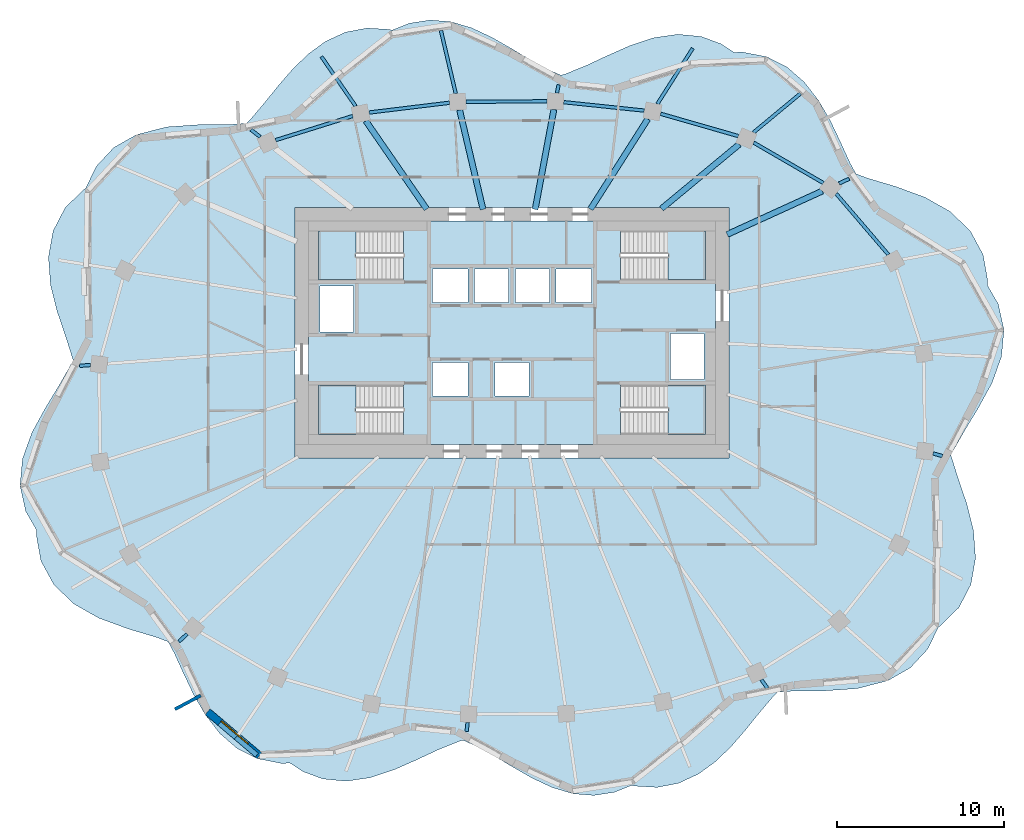
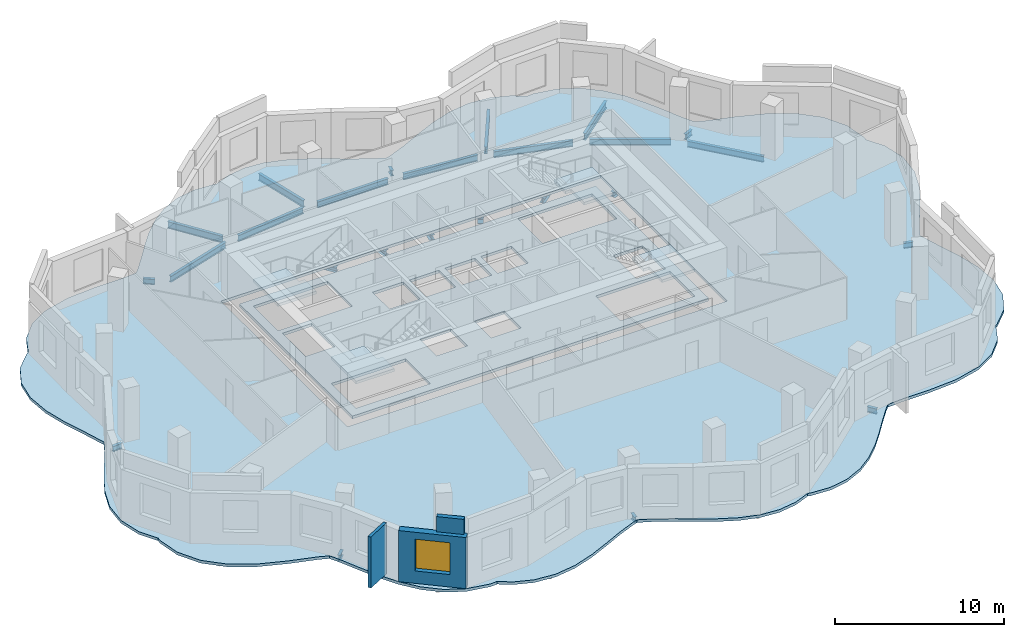
# One storey, part 2 of 9: 25 beams, 6 slabs, 3 walls, 1 window, 1 opening, 4 elements without a shape of their own.
"""IFC4 building model written with IfcOpenShell, lengths in metres."""

from ifc_helpers import new_model, si_unit, direction, frame, frame_2d, origin, origin_2d, place, context, subcontext, project, spatial, polyline, rectangle, i_section, outline, extrude, material, layer, layer_set, material_profile, profile_set, type_object, element, fill, aggregate, save


model = new_model("IFC4")

# Units and contexts
model_context = context("Model", 3, precision=1e-05, world=origin(), true_north=direction((0.0, 1.0)))
body_context = subcontext(model_context, "Body", "Model", "MODEL_VIEW")
ifc_project = project(units=[si_unit("LENGTHUNIT", "METRE"), si_unit("AREAUNIT", "SQUARE_METRE"), si_unit("VOLUMEUNIT", "CUBIC_METRE"), si_unit("PLANEANGLEUNIT", "RADIAN"), si_unit("MASSUNIT", "GRAM", prefix="KILO")], contexts=[model_context])

# Site, building, storey
site_placement = place(None, origin())
site = spatial("IfcSite", under=ifc_project, at=site_placement, CompositionType="ELEMENT")
building_placement = place(site_placement, origin())
building = spatial("IfcBuilding", under=site, at=building_placement, Name="Rubra Terraces Tower", CompositionType="ELEMENT")
storey_placement = place(building_placement, frame((0.0, 0.0, 244.800048828125)))
storey = spatial("IfcBuildingStorey", under=building, at=storey_placement, Name="L60", CompositionType="ELEMENT", Elevation=244.800048828125)

# Beams
ifc_material_1 = material(Name="Steel Q355B", Category="steel")
ifc_material_profile_1 = material_profile(ifc_material_1, i_section(OverallWidth=0.198974609375, OverallDepth=0.49609375, WebThickness=0.009033203125, FlangeThickness=0.013916015625, at=origin_2d()), Name="HN 496x199x9x14")
ifc_profile_set_1 = profile_set([ifc_material_profile_1], Name="Steel Q355B")
beam_type_1 = type_object("IfcBeamType", Name="CANTILEVER BEAM HN 496x199x9x14", PredefinedType="BEAM", material=ifc_profile_set_1)
beam_1_placement = place(storey_placement, frame((14.47509765625, 16.4951171875, -0.447998046875), z_axis=(0.76992389312, 0.638135721303, 0.0), x_axis=(-0.638135721303, 0.76992389312, 0.0)))
element("IfcBeam", 1, at=beam_1_placement, inside=storey, type_object=beam_type_1, Name="beam-L60-cant-04", PredefinedType="BEAM", context=body_context, shape_type="SweptSolid", body=[
    extrude(i_section(OverallWidth=0.198974609375, OverallDepth=0.49609375, WebThickness=0.009033203125, FlangeThickness=0.013916015625, at=origin_2d()), origin(), (0.0, 0.0, 1.0), 3.6494140625),
])
beam_2_placement = place(storey_placement, frame((8.7099609375, 18.201904296875, -0.447998046875), z_axis=(0.536427545347, 0.843946377795, 0.0), x_axis=(-0.843946377795, 0.536427545347, 0.0)))
element("IfcBeam", 2, at=beam_2_placement, inside=storey, type_object=beam_type_1, Name="beam-L60-cant-05", PredefinedType="BEAM", context=body_context, shape_type="SweptSolid", body=[
    extrude(i_section(OverallWidth=0.198974609375, OverallDepth=0.49609375, WebThickness=0.009033203125, FlangeThickness=0.013916015625, at=origin_2d()), origin(), (0.0, 0.0, 1.0), 3.950439453125),
])
beam_3_placement = place(storey_placement, frame((-3.3701171875, 18.823974609375, -0.447998046875), z_axis=(-0.228972734486, 0.973432836338, 0.0), x_axis=(-0.973432836338, -0.228972734486, 0.0)))
element("IfcBeam", 3, at=beam_3_placement, inside=storey, type_object=beam_type_1, Name="beam-L60-cant-07", PredefinedType="BEAM", context=body_context, shape_type="SweptSolid", body=[
    extrude(i_section(OverallWidth=0.198974609375, OverallDepth=0.49609375, WebThickness=0.009033203125, FlangeThickness=0.013916015625, at=origin_2d()), origin(), (0.0, 0.0, 1.0), 3.882080078125),
])
beam_4_placement = place(storey_placement, frame((-9.3701171875, 18.070068359375, -0.447998046875), z_axis=(-0.56822135663, 0.822875743882, 0.0), x_axis=(-0.822875743882, -0.56822135663, 0.0)))
element("IfcBeam", 4, at=beam_4_placement, inside=storey, type_object=beam_type_1, Name="beam-L60-cant-08", PredefinedType="BEAM", context=body_context, shape_type="SweptSolid", body=[
    extrude(i_section(OverallWidth=0.198974609375, OverallDepth=0.49609375, WebThickness=0.009033203125, FlangeThickness=0.013916015625, at=origin_2d()), origin(), (0.0, 0.0, 1.0), 3.59716796875),
])
ifc_material_profile_2 = material_profile(ifc_material_1, i_section(OverallWidth=0.199951171875, OverallDepth=0.39990234375, WebThickness=0.008056640625, FlangeThickness=0.012939453125, at=origin_2d()), Name="HN 400x200x8x13")
ifc_profile_set_2 = profile_set([ifc_material_profile_2], Name="Steel Q355B")
beam_type_2 = type_object("IfcBeamType", Name="CANTILEVER STUB HN 400x200x8x13", PredefinedType="BEAM", material=ifc_profile_set_2)
beam_5_placement = place(storey_placement, frame((19.596923828125, 13.43896484375, -0.400146484375), z_axis=(0.909470504051, 0.415768447891, 0.0), x_axis=(-0.415768447891, 0.909470504051, 0.0)))
element("IfcBeam", 5, at=beam_5_placement, inside=storey, type_object=beam_type_2, Name="beam-L60-cant-03", PredefinedType="BEAM", context=body_context, shape_type="SweptSolid", body=[
    extrude(i_section(OverallWidth=0.199951171875, OverallDepth=0.39990234375, WebThickness=0.008056640625, FlangeThickness=0.012939453125, at=origin_2d()), origin(), (0.0, 0.0, 1.0), 0.6640625),
])
beam_6_placement = place(storey_placement, frame((2.695068359375, 18.85400390625, -0.400146484375), z_axis=(0.185434461411, 0.98265663409, 0.0), x_axis=(-0.98265663409, 0.185434461411, 0.0)))
element("IfcBeam", 6, at=beam_6_placement, inside=storey, type_object=beam_type_2, Name="beam-L60-cant-06", PredefinedType="BEAM", context=body_context, shape_type="SweptSolid", body=[
    extrude(i_section(OverallWidth=0.199951171875, OverallDepth=0.39990234375, WebThickness=0.008056640625, FlangeThickness=0.012939453125, at=origin_2d()), origin(), (0.0, 0.0, 1.0), 0.501708984375),
])
beam_7_placement = place(storey_placement, frame((-15.087890625, 16.22705078125, -0.400146484375), z_axis=(-0.78939001545, 0.613892012904, 0.0), x_axis=(-0.613892012904, -0.78939001545, 0.0)))
element("IfcBeam", 7, at=beam_7_placement, inside=storey, type_object=beam_type_2, Name="beam-L60-cant-09", PredefinedType="BEAM", context=body_context, shape_type="SweptSolid", body=[
    extrude(i_section(OverallWidth=0.199951171875, OverallDepth=0.39990234375, WebThickness=0.008056640625, FlangeThickness=0.012939453125, at=origin_2d()), origin(), (0.0, 0.0, 1.0), 0.695556640625),
])
beam_8_placement = place(storey_placement, frame((-25.251953125, 2.56005859375, -0.400146484375), z_axis=(-0.997039019629, -0.076897290829, 0.0), x_axis=(0.076897290829, -0.997039019629, 0.0)))
element("IfcBeam", 8, at=beam_8_placement, inside=storey, type_object=beam_type_2, Name="beam-L60-cant-12", PredefinedType="BEAM", context=body_context, shape_type="SweptSolid", body=[
    extrude(i_section(OverallWidth=0.199951171875, OverallDepth=0.39990234375, WebThickness=0.008056640625, FlangeThickness=0.012939453125, at=origin_2d()), origin(), (0.0, 0.0, 1.0), 0.65087890625),
])
beam_9_placement = place(storey_placement, frame((-19.4619140625, -13.552001953125, -0.400146484375), z_axis=(-0.733015476534, -0.680211960466, 0.0), x_axis=(0.680211960466, -0.733015476534, 0.0)))
element("IfcBeam", 9, at=beam_9_placement, inside=storey, type_object=beam_type_2, Name="beam-L60-cant-15", PredefinedType="BEAM", context=body_context, shape_type="SweptSolid", body=[
    extrude(i_section(OverallWidth=0.199951171875, OverallDepth=0.39990234375, WebThickness=0.008056640625, FlangeThickness=0.012939453125, at=origin_2d()), origin(), (0.0, 0.0, 1.0), 0.665771484375),
])
beam_10_placement = place(storey_placement, frame((-2.658935546875, -18.85595703125, -0.400146484375), z_axis=(-0.113572215797, -0.993529743792, 0.0), x_axis=(0.993529743792, -0.113572215797, 0.0)))
element("IfcBeam", 10, at=beam_10_placement, inside=storey, type_object=beam_type_2, Name="beam-L60-cant-18", PredefinedType="BEAM", context=body_context, shape_type="SweptSolid", body=[
    extrude(i_section(OverallWidth=0.199951171875, OverallDepth=0.39990234375, WebThickness=0.008056640625, FlangeThickness=0.012939453125, at=origin_2d()), origin(), (0.0, 0.0, 1.0), 0.537353515625),
])
beam_11_placement = place(storey_placement, frame((14.93994140625, -16.294921875, -0.400146484375), z_axis=(0.583740356703, -0.81194038941, 0.0), x_axis=(0.81194038941, 0.583740356703, 0.0)))
element("IfcBeam", 11, at=beam_11_placement, inside=storey, type_object=beam_type_2, Name="beam-L60-cant-21", PredefinedType="BEAM", context=body_context, shape_type="SweptSolid", body=[
    extrude(i_section(OverallWidth=0.199951171875, OverallDepth=0.39990234375, WebThickness=0.008056640625, FlangeThickness=0.012939453125, at=origin_2d()), origin(), (0.0, 0.0, 1.0), 0.626953125),
])
beam_12_placement = place(storey_placement, frame((25.22900390625, -2.738037109375, -0.400146484375), z_axis=(0.961157373545, -0.276000911737, 0.0), x_axis=(0.276000911737, 0.961157373545, 0.0)))
element("IfcBeam", 12, at=beam_12_placement, inside=storey, type_object=beam_type_2, Name="beam-L60-cant-24", PredefinedType="BEAM", context=body_context, shape_type="SweptSolid", body=[
    extrude(i_section(OverallWidth=0.199951171875, OverallDepth=0.39990234375, WebThickness=0.008056640625, FlangeThickness=0.012939453125, at=origin_2d()), origin(), (0.0, 0.0, 1.0), 0.579345703125),
])
ifc_material_profile_3 = material_profile(ifc_material_1, i_section(OverallWidth=0.35009765625, OverallDepth=0.35009765625, WebThickness=0.011962890625, FlangeThickness=0.01904296875, at=origin_2d()), Name="HW 350x350x12x19")
ifc_profile_set_3 = profile_set([ifc_material_profile_3], Name="Steel Q355B")
beam_type_3 = type_object("IfcBeamType", Name="FLOOR BEAM HW 350x350x12x19", PredefinedType="BEAM", material=ifc_profile_set_3)
beam_13_placement = place(storey_placement, frame((18.5869140625, 12.97900390625, -0.375), z_axis=(-0.909756526533, -0.415142219523, 0.0), x_axis=(0.415142219523, -0.909756526533, 0.0)))
element("IfcBeam", 13, at=beam_13_placement, inside=storey, type_object=beam_type_3, Name="beam-L60-floor-03", PredefinedType="BEAM", context=body_context, shape_type="SweptSolid", body=[
    extrude(i_section(OverallWidth=0.35009765625, OverallDepth=0.35009765625, WebThickness=0.011962890625, FlangeThickness=0.01904296875, at=origin_2d()), origin(), (0.0, 0.0, 1.0), 6.2607421875),
])
beam_14_placement = place(storey_placement, frame((13.60888671875, 15.777099609375, -0.375), z_axis=(-0.769987518392, -0.638058948312, 0.0), x_axis=(0.638058948312, -0.769987518392, 0.0)))
element("IfcBeam", 14, at=beam_14_placement, inside=storey, type_object=beam_type_3, Name="beam-L60-floor-04", PredefinedType="BEAM", context=body_context, shape_type="SweptSolid", body=[
    extrude(i_section(OverallWidth=0.35009765625, OverallDepth=0.35009765625, WebThickness=0.011962890625, FlangeThickness=0.01904296875, at=origin_2d()), origin(), (0.0, 0.0, 1.0), 6.040283203125),
])
beam_15_placement = place(storey_placement, frame((8.134033203125, 17.2958984375, -0.375), z_axis=(-0.536509861106, -0.843894050776, 0.0), x_axis=(0.843894050776, -0.536509861106, 0.0)))
element("IfcBeam", 15, at=beam_15_placement, inside=storey, type_object=beam_type_3, Name="beam-L60-floor-05", PredefinedType="BEAM", context=body_context, shape_type="SweptSolid", body=[
    extrude(i_section(OverallWidth=0.35009765625, OverallDepth=0.35009765625, WebThickness=0.011962890625, FlangeThickness=0.01904296875, at=origin_2d()), origin(), (0.0, 0.0, 1.0), 6.395263671875),
])
beam_16_placement = place(storey_placement, frame((2.509033203125, 17.862060546875, -0.375), z_axis=(-0.184574398021, -0.982818544593, 0.0), x_axis=(0.982818544593, -0.184574398021, 0.0)))
element("IfcBeam", 16, at=beam_16_placement, inside=storey, type_object=beam_type_3, Name="beam-L60-floor-06", PredefinedType="BEAM", context=body_context, shape_type="SweptSolid", body=[
    extrude(i_section(OverallWidth=0.35009765625, OverallDepth=0.35009765625, WebThickness=0.011962890625, FlangeThickness=0.01904296875, at=origin_2d()), origin(), (0.0, 0.0, 1.0), 6.08447265625),
])
beam_17_placement = place(storey_placement, frame((-3.137939453125, 17.8359375, -0.375), z_axis=(0.229070485592, -0.973409837957, 0.0), x_axis=(0.973409837957, 0.229070485592, 0.0)))
element("IfcBeam", 17, at=beam_17_placement, inside=storey, type_object=beam_type_3, Name="beam-L60-floor-07", PredefinedType="BEAM", context=body_context, shape_type="SweptSolid", body=[
    extrude(i_section(OverallWidth=0.35009765625, OverallDepth=0.35009765625, WebThickness=0.011962890625, FlangeThickness=0.01904296875, at=origin_2d()), origin(), (0.0, 0.0, 1.0), 6.115478515625),
])
beam_18_placement = place(storey_placement, frame((-8.756103515625, 17.179931640625, -0.375), z_axis=(0.568186422001, -0.822899866238, 0.0), x_axis=(0.822899866238, 0.568186422001, 0.0)))
element("IfcBeam", 18, at=beam_18_placement, inside=storey, type_object=beam_type_3, Name="beam-L60-floor-08", PredefinedType="BEAM", context=body_context, shape_type="SweptSolid", body=[
    extrude(i_section(OverallWidth=0.35009765625, OverallDepth=0.35009765625, WebThickness=0.011962890625, FlangeThickness=0.01904296875, at=origin_2d()), origin(), (0.0, 0.0, 1.0), 6.415283203125),
])
ifc_material_profile_4 = material_profile(ifc_material_1, i_section(OverallWidth=0.198974609375, OverallDepth=0.446044921875, WebThickness=0.008056640625, FlangeThickness=0.011962890625, at=origin_2d()), Name="HN 446x199x8x12")
ifc_profile_set_4 = profile_set([ifc_material_profile_4], Name="Steel Q355B")
beam_type_4 = type_object("IfcBeamType", Name="SPANDREL BEAM HN 446x199x8x12", PredefinedType="SPANDREL", material=ifc_profile_set_4)
beam_19_placement = place(storey_placement, frame((22.547119140625, 9.174072265625, -0.423095703125), z_axis=(-0.650372836218, 0.759615148552, 0.0), x_axis=(-0.759615148552, -0.650372836218, 0.0)))
element("IfcBeam", 19, at=beam_19_placement, inside=storey, type_object=beam_type_4, Name="beam-L60-spandrel-02", PredefinedType="SPANDREL", context=body_context, shape_type="SweptSolid", body=[
    extrude(i_section(OverallWidth=0.198974609375, OverallDepth=0.446044921875, WebThickness=0.008056640625, FlangeThickness=0.011962890625, at=origin_2d()), origin(), (0.0, 0.0, 1.0), 4.804931640625),
])
beam_20_placement = place(storey_placement, frame((18.653076171875, 13.462890625, -0.423095703125), z_axis=(-0.865153680787, 0.501506838059, 0.0), x_axis=(-0.501506838059, -0.865153680787, 0.0)))
element("IfcBeam", 20, at=beam_20_placement, inside=storey, type_object=beam_type_4, Name="beam-L60-spandrel-03", PredefinedType="SPANDREL", context=body_context, shape_type="SweptSolid", body=[
    extrude(i_section(OverallWidth=0.198974609375, OverallDepth=0.446044921875, WebThickness=0.008056640625, FlangeThickness=0.011962890625, at=origin_2d()), origin(), (0.0, 0.0, 1.0), 4.82568359375),
])
beam_21_placement = place(storey_placement, frame((13.55810546875, 16.27490234375, -0.423095703125), z_axis=(-0.961171164323, 0.275952881621, 0.0), x_axis=(-0.275952881621, -0.961171164323, 0.0)))
element("IfcBeam", 21, at=beam_21_placement, inside=storey, type_object=beam_type_4, Name="beam-L60-spandrel-04", PredefinedType="SPANDREL", context=body_context, shape_type="SweptSolid", body=[
    extrude(i_section(OverallWidth=0.198974609375, OverallDepth=0.446044921875, WebThickness=0.008056640625, FlangeThickness=0.011962890625, at=origin_2d()), origin(), (0.0, 0.0, 1.0), 4.842041015625),
])
beam_22_placement = place(storey_placement, frame((7.923095703125, 17.801025390625, -0.423095703125), z_axis=(-0.994565426955, 0.104113454971, 0.0), x_axis=(-0.104113454971, -0.994565426955, 0.0)))
element("IfcBeam", 22, at=beam_22_placement, inside=storey, type_object=beam_type_4, Name="beam-L60-spandrel-05", PredefinedType="SPANDREL", context=body_context, shape_type="SweptSolid", body=[
    extrude(i_section(OverallWidth=0.198974609375, OverallDepth=0.446044921875, WebThickness=0.008056640625, FlangeThickness=0.011962890625, at=origin_2d()), origin(), (0.0, 0.0, 1.0), 4.849365234375),
])
beam_23_placement = place(storey_placement, frame((2.10107421875, 18.35595703125, -0.423095703125), z_axis=(-0.999987852299, -0.004929021704, 0.0), x_axis=(0.004929021704, -0.999987852299, 0.0)))
element("IfcBeam", 23, at=beam_23_placement, inside=storey, type_object=beam_type_4, Name="beam-L60-spandrel-06", PredefinedType="SPANDREL", context=body_context, shape_type="SweptSolid", body=[
    extrude(i_section(OverallWidth=0.198974609375, OverallDepth=0.446044921875, WebThickness=0.008056640625, FlangeThickness=0.011962890625, at=origin_2d()), origin(), (0.0, 0.0, 1.0), 4.85400390625),
])
beam_24_placement = place(storey_placement, frame((-3.7509765625, 18.27001953125, -0.423095703125), z_axis=(-0.992698018573, -0.120626049929, 0.0), x_axis=(0.120626049929, -0.992698018573, 0.0)))
element("IfcBeam", 24, at=beam_24_placement, inside=storey, type_object=beam_type_4, Name="beam-L60-spandrel-07", PredefinedType="SPANDREL", context=body_context, shape_type="SweptSolid", body=[
    extrude(i_section(OverallWidth=0.198974609375, OverallDepth=0.446044921875, WebThickness=0.008056640625, FlangeThickness=0.011962890625, at=origin_2d()), origin(), (0.0, 0.0, 1.0), 4.849365234375),
])
beam_25_placement = place(storey_placement, frame((-9.5419921875, 17.47509765625, -0.423095703125), z_axis=(-0.954462027342, -0.298332429282, 0.0), x_axis=(0.298332429282, -0.954462027342, 0.0)))
element("IfcBeam", 25, at=beam_25_placement, inside=storey, type_object=beam_type_4, Name="beam-L60-spandrel-08", PredefinedType="SPANDREL", context=body_context, shape_type="SweptSolid", body=[
    extrude(i_section(OverallWidth=0.198974609375, OverallDepth=0.446044921875, WebThickness=0.008056640625, FlangeThickness=0.011962890625, at=origin_2d()), origin(), (0.0, 0.0, 1.0), 4.840576171875),
])

# Slab
ifc_material_2 = material(Name="Concrete C40", Category="concrete")
ifc_layer_1 = layer(ifc_material_2, 0.199951171875)
ifc_layer_set_1 = layer_set([ifc_layer_1], Name="Concrete C40")
slab_type_1 = type_object("IfcSlabType", Name="Core floor slab 200 concrete", PredefinedType="FLOOR", material=ifc_layer_set_1)
slab_1_placement = place(storey_placement, frame((0.0, 0.0, -0.199951171875)))
element("IfcSlab", 26, at=slab_1_placement, inside=storey, type_object=slab_type_1, Name="CORE FLOOR SLAB L60", PredefinedType="FLOOR", context=body_context, shape_type="SweptSolid", body=[
    extrude(outline(polyline([(-12.199951171875, -2.199951171875), (-12.199951171875, 11.199951171875), (12.199951171875, 11.199951171875), (12.199951171875, -2.199951171875), (-12.199951171875, -2.199951171875)]), holes=[polyline([(11.597900390625, 1.347900390625), (6.501953125, 1.347900390625), (6.501953125, -1.597900390625), (11.597900390625, -1.597900390625), (11.597900390625, 1.347900390625)]), polyline([(11.597900390625, 7.652099609375), (11.597900390625, 10.597900390625), (6.501953125, 10.597900390625), (6.501953125, 7.652099609375), (11.597900390625, 7.652099609375)]), polyline([(9.5, 1.699951171875), (11.5, 1.699951171875), (11.5, 4.449951171875), (9.5, 4.449951171875), (9.5, 1.699951171875)]), polyline([(4.75, 6.300048828125), (4.75, 8.300048828125), (2.64990234375, 8.300048828125), (2.64990234375, 6.300048828125), (4.75, 6.300048828125)]), polyline([(2.25, 8.300048828125), (0.199951171875, 8.300048828125), (0.199951171875, 6.300048828125), (2.25, 6.300048828125), (2.25, 8.300048828125)]), polyline([(1.02490234375, 0.699951171875), (1.02490234375, 2.699951171875), (-1.02490234375, 2.699951171875), (-1.02490234375, 0.699951171875), (1.02490234375, 0.699951171875)]), polyline([(-0.199951171875, 6.300048828125), (-0.199951171875, 8.300048828125), (-2.25, 8.300048828125), (-2.25, 6.300048828125), (-0.199951171875, 6.300048828125)]), polyline([(-4.75, 8.300048828125), (-4.75, 6.300048828125), (-2.64990234375, 6.300048828125), (-2.64990234375, 8.300048828125), (-4.75, 8.300048828125)]), polyline([(-2.64990234375, 0.699951171875), (-2.64990234375, 2.699951171875), (-4.75, 2.699951171875), (-4.75, 0.699951171875), (-2.64990234375, 0.699951171875)]), polyline([(-11.597900390625, -1.597900390625), (-6.501953125, -1.597900390625), (-6.501953125, 1.347900390625), (-11.597900390625, 1.347900390625), (-11.597900390625, -1.597900390625)]), polyline([(-11.597900390625, 10.597900390625), (-11.597900390625, 7.652099609375), (-6.501953125, 7.652099609375), (-6.501953125, 10.597900390625), (-11.597900390625, 10.597900390625)]), polyline([(-9.5, 4.550048828125), (-9.5, 7.300048828125), (-11.5, 7.300048828125), (-11.5, 4.550048828125), (-9.5, 4.550048828125)])]), origin(), (0.0, 0.0, 1.0), 0.199951171875),
])

# Stair, slab
stair_type = type_object("IfcStairType", Name="Core stair 1400", PredefinedType="HALF_TURN_STAIR", material=ifc_material_2)
stair_1_placement = place(storey_placement, origin())
stair_1 = element("IfcStair", 27, at=stair_1_placement, inside=storey, type_object=stair_type, Name="L60 Exit stair S1", PredefinedType="HALF_TURN_STAIR")
ifc_layer_2 = layer(ifc_material_2, 0.199951171875)
ifc_layer_set_2 = layer_set([ifc_layer_2], Name="Concrete C40")
slab_type_2 = type_object("IfcSlabType", Name="Core stair landing 200", PredefinedType="LANDING", material=ifc_layer_set_2)
slab_2_placement = place(storey_placement, frame((0.0, 0.0, 1.75)))
slab_2 = element("IfcSlab", 28, at=slab_2_placement, type_object=slab_type_2, Name="S1 landing 1", PredefinedType="LANDING", context=body_context, shape_type="SweptSolid", body=[
    extrude(outline(polyline([(-8.97998046875, -0.199951171875), (-8.97998046875, -1.60009765625), (-9.360107421875, -1.60009765625), (-9.3798828125, -1.60009765625), (-11.60009765625, -1.60009765625), (-11.60009765625, 1.35009765625), (-9.3798828125, 1.35009765625), (-9.35791015625, 1.35009765625), (-9.35791015625, -0.050048828125), (-9.360107421875, -0.050048828125), (-9.360107421875, -0.199951171875), (-8.97998046875, -0.199951171875)])), origin(), (0.0, 0.0, 1.0), 0.199951171875),
])
aggregate(stair_1, [slab_2])

stair_2_placement = place(storey_placement, origin())
stair_2 = element("IfcStair", 29, at=stair_2_placement, inside=storey, type_object=stair_type, Name="L60 Exit stair S2", PredefinedType="HALF_TURN_STAIR")
slab_3_placement = place(storey_placement, frame((0.0, 0.0, 1.75)))
slab_3 = element("IfcSlab", 30, at=slab_3_placement, type_object=slab_type_2, Name="S2 landing 1", PredefinedType="LANDING", context=body_context, shape_type="SweptSolid", body=[
    extrude(outline(polyline([(-8.97998046875, 9.050048828125), (-8.97998046875, 7.64990234375), (-9.3798828125, 7.64990234375), (-11.60009765625, 7.64990234375), (-11.60009765625, 10.60009765625), (-9.3798828125, 10.60009765625), (-9.360107421875, 10.60009765625), (-9.35791015625, 10.60009765625), (-9.35791015625, 9.199951171875), (-9.360107421875, 9.199951171875), (-9.360107421875, 9.050048828125), (-8.97998046875, 9.050048828125)])), origin(), (0.0, 0.0, 1.0), 0.199951171875),
])
aggregate(stair_2, [slab_3])

stair_3_placement = place(storey_placement, origin())
stair_3 = element("IfcStair", 31, at=stair_3_placement, inside=storey, type_object=stair_type, Name="L60 Exit stair S3", PredefinedType="HALF_TURN_STAIR")
slab_4_placement = place(storey_placement, frame((0.0, 0.0, 1.75)))
slab_4 = element("IfcSlab", 32, at=slab_4_placement, type_object=slab_type_2, Name="S3 landing 1", PredefinedType="LANDING", context=body_context, shape_type="SweptSolid", body=[
    extrude(outline(polyline([(9.360107421875, 9.050048828125), (9.360107421875, 9.199951171875), (8.97998046875, 9.199951171875), (8.97998046875, 10.60009765625), (9.360107421875, 10.60009765625), (9.3798828125, 10.60009765625), (11.60009765625, 10.60009765625), (11.60009765625, 7.64990234375), (9.3798828125, 7.64990234375), (9.35791015625, 7.64990234375), (9.35791015625, 9.050048828125), (9.360107421875, 9.050048828125)])), origin(), (0.0, 0.0, 1.0), 0.199951171875),
])
aggregate(stair_3, [slab_4])

stair_4_placement = place(storey_placement, origin())
stair_4 = element("IfcStair", 33, at=stair_4_placement, inside=storey, type_object=stair_type, Name="L60 Exit stair S4", PredefinedType="HALF_TURN_STAIR")
slab_5_placement = place(storey_placement, frame((0.0, 0.0, 1.75)))
slab_5 = element("IfcSlab", 34, at=slab_5_placement, type_object=slab_type_2, Name="S4 landing 1", PredefinedType="LANDING", context=body_context, shape_type="SweptSolid", body=[
    extrude(outline(polyline([(9.360107421875, -0.199951171875), (9.360107421875, -0.050048828125), (8.97998046875, -0.050048828125), (8.97998046875, 1.35009765625), (9.360107421875, 1.35009765625), (9.3798828125, 1.35009765625), (11.60009765625, 1.35009765625), (11.60009765625, -1.60009765625), (9.3798828125, -1.60009765625), (9.360107421875, -1.60009765625), (9.35791015625, -1.60009765625), (9.35791015625, -0.199951171875), (9.360107421875, -0.199951171875)])), origin(), (0.0, 0.0, 1.0), 0.199951171875),
])
aggregate(stair_4, [slab_5])

# Slab
ifc_layer_3 = layer(ifc_material_2, 0.199951171875)
ifc_layer_set_3 = layer_set([ifc_layer_3], Name="Concrete C40")
slab_type_3 = type_object("IfcSlabType", Name="FLOOR SLAB 200 COMPOSITE", PredefinedType="FLOOR", material=ifc_layer_set_3)
slab_6_placement = place(storey_placement, frame((0.0, 0.0, -0.199951171875)))
element("IfcSlab", 35, at=slab_6_placement, inside=storey, type_object=slab_type_3, Name="FLOOR SLAB L60", PredefinedType="FLOOR", context=body_context, shape_type="SweptSolid", body=[
    extrude(outline(polyline([(-7.0458984375, -21.68603515625), (-5.712890625, -21.096923828125), (-4.419921875, -20.491943359375), (-3.1650390625, -19.985107421875), (-2.930908203125, -19.922119140625), (-2.111083984375, -20.2900390625), (-1.06494140625, -20.866943359375), (0.0, -21.5), (1.199951171875, -22.18798828125), (2.422119140625, -22.759033203125), (3.6630859375, -23.126953125), (4.908935546875, -23.22900390625), (6.138916015625, -23.037109375), (7.18505859375, -22.618896484375), (7.364990234375, -22.66796875), (8.68798828125, -22.74609375), (9.969970703125, -22.5029296875), (11.180908203125, -21.943115234375), (12.205078125, -21.195068359375), (13.14599609375, -20.282958984375), (14.010986328125, -19.284912109375), (14.845947265625, -18.2490234375), (15.655029296875, -17.29296875), (15.9169921875, -17.033935546875), (16.968017578125, -16.968017578125), (18.7890625, -16.9580078125), (20.68994140625, -16.824951171875), (22.510009765625, -16.35498046875), (23.864990234375, -15.5810546875), (24.9140625, -14.4560546875), (25.544921875, -13.14208984375), (25.6650390625, -13.076904296875), (26.780029296875, -11.968994140625), (27.4951171875, -10.587890625), (27.77197265625, -9.02392578125), (27.65087890625, -7.37109375), (27.2470703125, -5.7529296875), (26.73095703125, -4.23388671875), (26.2939453125, -2.844970703125), (26.31689453125, -2.7880859375), (27.0791015625, -1.43603515625), (27.949951171875, 0.0), (28.764892578125, 1.492919921875), (29.327880859375, 3.06201171875), (29.47607421875, 4.6689453125), (29.134033203125, 6.214111328125), (28.47607421875, 7.347900390625), (28.501953125, 7.617919921875), (28.22607421875, 9.1708984375), (27.449951171875, 10.60400390625), (26.242919921875, 11.759033203125), (24.7470703125, 12.60888671875), (22.95703125, 13.262939453125), (21.2451171875, 13.77197265625), (20.60009765625, 14.02099609375), (20.235107421875, 14.701904296875), (19.68896484375, 15.89990234375), (19.091064453125, 17.156982421875), (18.384033203125, 18.384033203125), (17.507080078125, 19.51708984375), (16.466064453125, 20.4189453125), (15.27392578125, 21.02294921875), (13.781005859375, 21.31494140625), (13.30810546875, 21.284912109375), (12.529052734375, 21.798095703125), (11.3330078125, 22.240966796875), (9.931884765625, 22.3759765625), (8.489013671875, 22.1650390625), (7.0458984375, 21.68603515625), (5.712890625, 21.096923828125), (4.419921875, 20.491943359375), (3.1650390625, 19.985107421875), (2.930908203125, 19.922119140625), (2.111083984375, 20.2900390625), (1.06494140625, 20.866943359375), (0.0, 21.5), (-1.199951171875, 22.18798828125), (-2.422119140625, 22.759033203125), (-3.6630859375, 23.126953125), (-4.908935546875, 23.22900390625), (-6.138916015625, 23.037109375), (-7.18505859375, 22.618896484375), (-7.364990234375, 22.66796875), (-8.68798828125, 22.74609375), (-9.969970703125, 22.5029296875), (-11.180908203125, 21.943115234375), (-12.205078125, 21.195068359375), (-13.14599609375, 20.282958984375), (-14.010986328125, 19.284912109375), (-14.845947265625, 18.2490234375), (-15.655029296875, 17.29296875), (-15.9169921875, 17.033935546875), (-16.968017578125, 16.968017578125), (-18.7890625, 16.9580078125), (-20.68994140625, 16.824951171875), (-22.510009765625, 16.35498046875), (-23.864990234375, 15.5810546875), (-24.9140625, 14.4560546875), (-25.544921875, 13.14208984375), (-25.6650390625, 13.076904296875), (-26.780029296875, 11.968994140625), (-27.4951171875, 10.587890625), (-27.77197265625, 9.02392578125), (-27.65087890625, 7.37109375), (-27.2470703125, 5.7529296875), (-26.73095703125, 4.23388671875), (-26.2939453125, 2.844970703125), (-26.31689453125, 2.7880859375), (-27.0791015625, 1.43603515625), (-27.949951171875, 0.0), (-28.764892578125, -1.492919921875), (-29.327880859375, -3.06201171875), (-29.47607421875, -4.6689453125), (-29.134033203125, -6.214111328125), (-28.47607421875, -7.347900390625), (-28.501953125, -7.617919921875), (-28.22607421875, -9.1708984375), (-27.449951171875, -10.60400390625), (-26.242919921875, -11.759033203125), (-24.7470703125, -12.60888671875), (-22.95703125, -13.262939453125), (-21.2451171875, -13.77197265625), (-20.60009765625, -14.02099609375), (-20.235107421875, -14.701904296875), (-19.68896484375, -15.89990234375), (-19.091064453125, -17.156982421875), (-18.384033203125, -18.384033203125), (-17.507080078125, -19.51708984375), (-16.466064453125, -20.4189453125), (-15.27392578125, -21.02294921875), (-13.781005859375, -21.31494140625), (-13.30810546875, -21.284912109375), (-12.529052734375, -21.798095703125), (-11.3330078125, -22.240966796875), (-9.931884765625, -22.3759765625), (-8.489013671875, -22.1650390625), (-7.0458984375, -21.68603515625)]), holes=[polyline([(13.0, 12.0), (13.0, -3.0), (-13.0, -3.0), (-13.0, 12.0), (13.0, 12.0)])]), origin(), (0.0, 0.0, 1.0), 0.199951171875),
])

# Wall, opening, window
ifc_material_3 = material(Name="Brick masonry red-brown", Category="masonry")
ifc_layer_4 = layer(ifc_material_3, 0.449951171875)
ifc_layer_set_4 = layer_set([ifc_layer_4], Name="Brick masonry red-brown")
wall_type_1 = type_object("IfcWallType", Name="Brick facade wall 450", PredefinedType="SOLIDWALL", material=ifc_layer_set_4)
wall_1_placement = place(storey_placement, frame((-18.23828125, -18.21240234375, 0.0), z_axis=(0.0, 0.0, 1.0), x_axis=(0.762479604733, -0.647012250554, 0.0)))
wall_1 = element("IfcWall", 36, at=wall_1_placement, inside=storey, type_object=wall_type_1, Name="Facade wall L60 bay 26", PredefinedType="SOLIDWALL", context=body_context, shape_type="SweptSolid", body=[
    extrude(rectangle(XDim=4.07861328125, YDim=0.449951171875, at=frame_2d((2.039306640625, 0.0))), origin(), (0.0, 0.0, 1.0), 3.699951171875),
])
opening_placement = place(wall_1_placement, frame((0.989501953125, 0.0, 0.89990234375)))
opening = element("IfcOpeningElement", 37, at=opening_placement, cuts=wall_1, Name="Opening W1B", PredefinedType="OPENING", context=body_context, shape_type="SweptSolid", body=[
    extrude(rectangle(XDim=2.10009765625, YDim=2.300048828125, at=frame_2d((1.050048828125, 1.14990234375))), frame((0.0, 0.23486328125, 0.0), z_axis=(0.0, -1.0, 0.0), x_axis=(1.0, 0.0, 0.0)), (0.0, 0.0, 1.0), 0.469970703125),
])
ifc_material_4 = material(Name="Clear glass in aluminium frame", Category="aluminium")
window_type = type_object("IfcWindowType", Name="Fixed deep-set window tall storey 2100 x 2300", PartitioningType="SINGLE_PANEL", PredefinedType="WINDOW", material=ifc_material_4)
window_placement = place(opening_placement, origin())
window = element("IfcWindow", 38, at=window_placement, inside=storey, type_object=window_type, Name="Window L60 bay 26", OverallHeight=2.300048828125, OverallWidth=2.10009765625, PartitioningType="SINGLE_PANEL", PredefinedType="WINDOW", context=body_context, shape_type="SweptSolid", body=[
    extrude(rectangle(XDim=2.10009765625, YDim=2.300048828125, at=frame_2d((1.050048828125, 1.14990234375))), frame((0.0, 0.135009765625, 0.0), z_axis=(0.0, -1.0, 0.0), x_axis=(1.0, 0.0, 0.0)), (0.0, 0.0, 1.0), 0.06005859375),
])
fill(opening, window)

# Walls
ifc_layer_5 = layer(ifc_material_3, 0.300048828125)
ifc_layer_set_5 = layer_set([ifc_layer_5], Name="Brick masonry red-brown")
wall_type_2 = type_object("IfcWallType", Name="Brick parapet 300", PredefinedType="PARAPET", material=ifc_layer_set_5)
wall_2_placement = place(storey_placement, frame((-16.54150390625, -19.75048828125, 3.89990234375), z_axis=(0.0, 0.0, 1.0), x_axis=(0.762426907318, -0.647074347349, 0.0)))
element("IfcWall", 39, at=wall_2_placement, inside=storey, type_object=wall_type_2, Name="Parapet L60 bay 26", PredefinedType="PARAPET", context=body_context, shape_type="SweptSolid", body=[
    extrude(rectangle(XDim=1.642333984375, YDim=0.300048828125, at=frame_2d((0.8212890625, 0.0))), origin(), (0.0, 0.0, 1.0), 1.10009765625),
])
ifc_layer_6 = layer(ifc_material_3, 0.199951171875)
ifc_layer_set_6 = layer_set([ifc_layer_6], Name="Brick masonry red-brown")
wall_type_3 = type_object("IfcWallType", Name="Brick wind fin 200", PredefinedType="SOLIDWALL", material=ifc_layer_set_6)
wall_3_placement = place(storey_placement, frame((-18.65087890625, -17.242919921875, 0.0), z_axis=(0.0, 0.0, 1.0), x_axis=(-0.882225472329, -0.470827161466, 0.0)))
element("IfcWall", 40, at=wall_3_placement, inside=storey, type_object=wall_type_3, Name="Wind fin L60 15", PredefinedType="SOLIDWALL", context=body_context, shape_type="SweptSolid", body=[
    extrude(rectangle(XDim=1.75, YDim=0.199951171875, at=frame_2d((0.875, 0.0))), origin(), (0.0, 0.0, 1.0), 3.699951171875),
])

save(model, "model.ifc")
